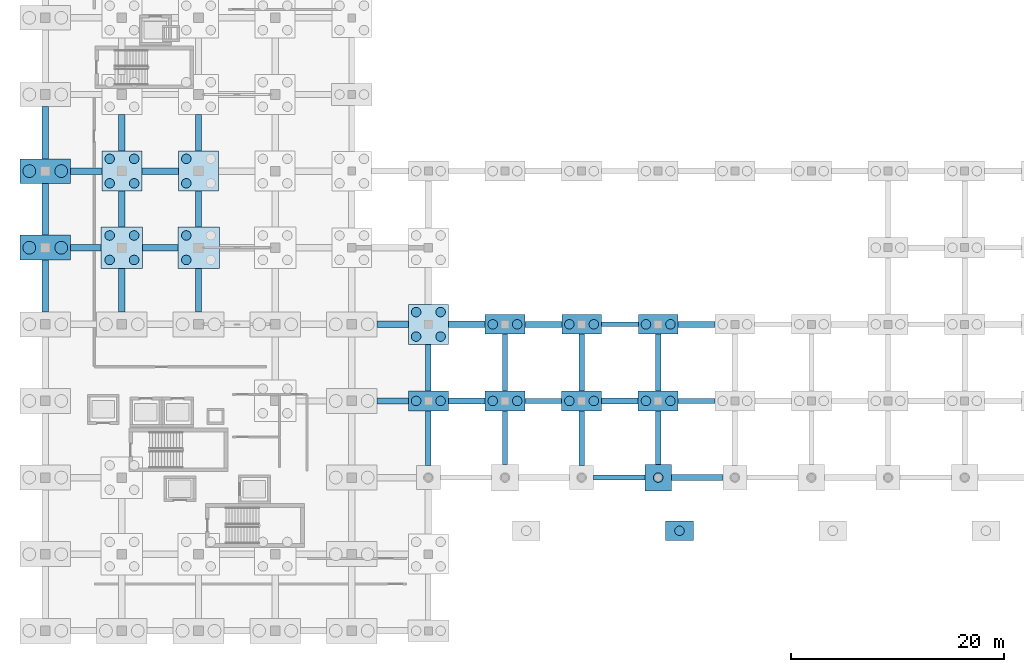
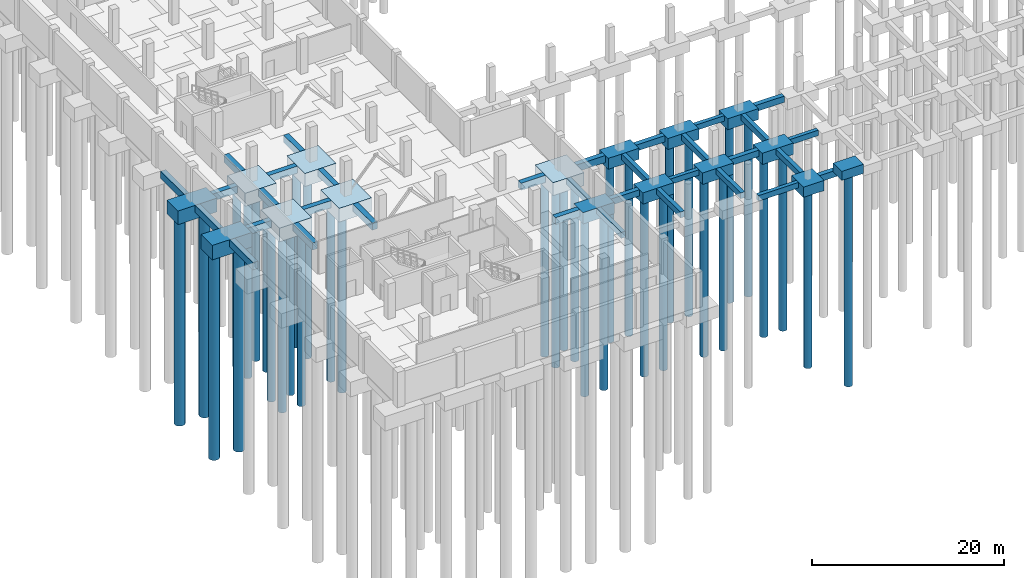
# One storey, part 2 of 36: 49 footings, 36 piles.
"""IFC4 building model written with IfcOpenShell, lengths in metres."""

from ifc_helpers import new_model, si_unit, direction, frame, origin, origin_2d, place, context, subcontext, project, spatial, rectangle, circle, extrude, material, material_profile, profile_set, type_object, element, save


model = new_model("IFC4")

# Units and contexts
model_context = context("Model", 3, precision=1e-05, world=origin(), true_north=direction((0.0, 1.0)))
body_context = subcontext(model_context, "Body", "Model", "MODEL_VIEW")
ifc_project = project(units=[si_unit("LENGTHUNIT", "METRE"), si_unit("AREAUNIT", "SQUARE_METRE"), si_unit("VOLUMEUNIT", "CUBIC_METRE"), si_unit("PLANEANGLEUNIT", "RADIAN"), si_unit("MASSUNIT", "GRAM", prefix="KILO")], contexts=[model_context])

# Site, building, storey
site_placement = place(None, origin())
site = spatial("IfcSite", under=ifc_project, at=site_placement, CompositionType="ELEMENT")
building_placement = place(site_placement, origin())
building = spatial("IfcBuilding", under=site, at=building_placement, Name="Kalmorath City Hall", CompositionType="ELEMENT")
storey_placement = place(building_placement, frame((0.0, 0.0, -4.5)))
storey = spatial("IfcBuildingStorey", under=building, at=storey_placement, Name="B1", CompositionType="ELEMENT", Elevation=-4.5)

# Piles
ifc_material_1 = material(Name="Concrete C40/50", Category="concrete")
ifc_material_profile_1 = material_profile(ifc_material_1, circle(Radius=0.60009765625, at=origin_2d()), Name="PILE-D1200")
ifc_profile_set_1 = profile_set([ifc_material_profile_1], Name="Concrete C40/50")
pile_type_1 = type_object("IfcPileType", Name="Bored concrete pile D1200", PredefinedType="BORED", material=ifc_profile_set_1)
for number, where, z_axis, x_axis, name in (
    (1, (-1.5, 36.0, -1.75), (0.0, 0.0, -1.0), (1.0, 0.0, 0.0), "Bored pile PL-1200 1.6.1"),
    (2, (1.5, 36.0, -1.75), (0.0, 0.0, -1.0), (1.0, 0.0, 0.0), "Bored pile PL-1200 1.6.2"),
):
    element("IfcPile", number, at=place(storey_placement, frame(where, z_axis=z_axis, x_axis=x_axis)), inside=storey, type_object=pile_type_1, Name=name, PredefinedType="BORED", context=body_context, shape_type="SweptSolid", body=[
        extrude(circle(Radius=0.60009765625, at=origin_2d()), origin(), (0.0, 0.0, 1.0), 26.25),
    ])
for number, where, z_axis, x_axis, name in (
    (3, (-1.5, 43.199951171875, -1.64990234375), (0.0, 0.0, -1.0), (1.0, 0.0, 0.0), "Bored pile PL-1200 1.7.1"),
    (4, (1.5, 43.199951171875, -1.64990234375), (0.0, 0.0, -1.0), (1.0, 0.0, 0.0), "Bored pile PL-1200 1.7.2"),
):
    element("IfcPile", number, at=place(storey_placement, frame(where, z_axis=z_axis, x_axis=x_axis)), inside=storey, type_object=pile_type_1, Name=name, PredefinedType="BORED", context=body_context, shape_type="SweptSolid", body=[
        extrude(circle(Radius=0.60009765625, at=origin_2d()), origin(), (0.0, 0.0, 1.0), 26.35009765625),
    ])
ifc_material_2 = material(Name="Concrete C40/50", Category="concrete")
ifc_material_profile_2 = material_profile(ifc_material_2, circle(Radius=0.449951171875, at=origin_2d()), Name="PILE-D900")
ifc_profile_set_2 = profile_set([ifc_material_profile_2], Name="Concrete C40/50")
pile_type_2 = type_object("IfcPileType", Name="Bored concrete pile D900", PredefinedType="BORED", material=ifc_profile_set_2)
for number, where, z_axis, x_axis, name in (
    (5, (6.050048828125, 34.85009765625, -1.64990234375), (0.0, 0.0, -1.0), (1.0, 0.0, 0.0), "Bored pile PL-900 2.6.1"),
    (6, (8.35009765625, 34.85009765625, -1.64990234375), (0.0, 0.0, -1.0), (1.0, 0.0, 0.0), "Bored pile PL-900 2.6.2"),
    (7, (6.050048828125, 37.14990234375, -1.64990234375), (0.0, 0.0, -1.0), (1.0, 0.0, 0.0), "Bored pile PL-900 2.6.3"),
    (8, (8.35009765625, 37.14990234375, -1.64990234375), (0.0, 0.0, -1.0), (1.0, 0.0, 0.0), "Bored pile PL-900 2.6.4"),
):
    element("IfcPile", number, at=place(storey_placement, frame(where, z_axis=z_axis, x_axis=x_axis)), inside=storey, type_object=pile_type_2, Name=name, PredefinedType="BORED", context=body_context, shape_type="SweptSolid", body=[
        extrude(circle(Radius=0.449951171875, at=origin_2d()), origin(), (0.0, 0.0, 1.0), 22.35009765625),
    ])
for number, where, z_axis, x_axis, name in (
    (9, (6.050048828125, 42.050048828125, -1.550048828125), (0.0, 0.0, -1.0), (1.0, 0.0, 0.0), "Bored pile PL-900 2.7.1"),
    (10, (8.35009765625, 42.050048828125, -1.550048828125), (0.0, 0.0, -1.0), (1.0, 0.0, 0.0), "Bored pile PL-900 2.7.2"),
    (11, (6.050048828125, 44.35009765625, -1.550048828125), (0.0, 0.0, -1.0), (1.0, 0.0, 0.0), "Bored pile PL-900 2.7.3"),
    (12, (8.35009765625, 44.35009765625, -1.550048828125), (0.0, 0.0, -1.0), (1.0, 0.0, 0.0), "Bored pile PL-900 2.7.4"),
):
    element("IfcPile", number, at=place(storey_placement, frame(where, z_axis=z_axis, x_axis=x_axis)), inside=storey, type_object=pile_type_2, Name=name, PredefinedType="BORED", context=body_context, shape_type="SweptSolid", body=[
        extrude(circle(Radius=0.449951171875, at=origin_2d()), origin(), (0.0, 0.0, 1.0), 22.449951171875),
    ])
for number, where, z_axis, x_axis, name in (
    (13, (13.25, 34.85009765625, -1.64990234375), (0.0, 0.0, -1.0), (1.0, 0.0, 0.0), "Bored pile PL-900 3.6.1"),
    (14, (13.25, 37.14990234375, -1.64990234375), (0.0, 0.0, -1.0), (1.0, 0.0, 0.0), "Bored pile PL-900 3.6.3"),
):
    element("IfcPile", number, at=place(storey_placement, frame(where, z_axis=z_axis, x_axis=x_axis)), inside=storey, type_object=pile_type_2, Name=name, PredefinedType="BORED", context=body_context, shape_type="SweptSolid", body=[
        extrude(circle(Radius=0.449951171875, at=origin_2d()), origin(), (0.0, 0.0, 1.0), 22.35009765625),
    ])
for number, where, z_axis, x_axis, name in (
    (15, (13.25, 42.050048828125, -1.550048828125), (0.0, 0.0, -1.0), (1.0, 0.0, 0.0), "Bored pile PL-900 3.7.1"),
    (16, (13.25, 44.35009765625, -1.550048828125), (0.0, 0.0, -1.0), (1.0, 0.0, 0.0), "Bored pile PL-900 3.7.3"),
):
    element("IfcPile", number, at=place(storey_placement, frame(where, z_axis=z_axis, x_axis=x_axis)), inside=storey, type_object=pile_type_2, Name=name, PredefinedType="BORED", context=body_context, shape_type="SweptSolid", body=[
        extrude(circle(Radius=0.449951171875, at=origin_2d()), origin(), (0.0, 0.0, 1.0), 22.449951171875),
    ])
for number, where, z_axis, x_axis, name in (
    (17, (34.85009765625, 21.60009765625, -1.35009765625), (0.0, 0.0, -1.0), (1.0, 0.0, 0.0), "Bored pile PL-900 6.4.1"),
    (18, (37.14990234375, 21.60009765625, -1.35009765625), (0.0, 0.0, -1.0), (1.0, 0.0, 0.0), "Bored pile PL-900 6.4.2"),
):
    element("IfcPile", number, at=place(storey_placement, frame(where, z_axis=z_axis, x_axis=x_axis)), inside=storey, type_object=pile_type_2, Name=name, PredefinedType="BORED", context=body_context, shape_type="SweptSolid", body=[
        extrude(circle(Radius=0.449951171875, at=origin_2d()), origin(), (0.0, 0.0, 1.0), 22.64990234375),
    ])
for number, where, z_axis, x_axis, name in (
    (19, (34.85009765625, 27.64990234375, -1.550048828125), (0.0, 0.0, -1.0), (1.0, 0.0, 0.0), "Bored pile PL-900 6.5.1"),
    (20, (37.14990234375, 27.64990234375, -1.550048828125), (0.0, 0.0, -1.0), (1.0, 0.0, 0.0), "Bored pile PL-900 6.5.2"),
    (21, (34.85009765625, 29.949951171875, -1.550048828125), (0.0, 0.0, -1.0), (1.0, 0.0, 0.0), "Bored pile PL-900 6.5.3"),
    (22, (37.14990234375, 29.949951171875, -1.550048828125), (0.0, 0.0, -1.0), (1.0, 0.0, 0.0), "Bored pile PL-900 6.5.4"),
):
    element("IfcPile", number, at=place(storey_placement, frame(where, z_axis=z_axis, x_axis=x_axis)), inside=storey, type_object=pile_type_2, Name=name, PredefinedType="BORED", context=body_context, shape_type="SweptSolid", body=[
        extrude(circle(Radius=0.449951171875, at=origin_2d()), origin(), (0.0, 0.0, 1.0), 22.449951171875),
    ])
for number, where, z_axis, x_axis, name in (
    (23, (42.050048828125, 21.60009765625, -1.35009765625), (0.0, 0.0, -1.0), (1.0, 0.0, 0.0), "Bored pile PL-900 7.4.1"),
    (24, (44.35009765625, 21.60009765625, -1.35009765625), (0.0, 0.0, -1.0), (1.0, 0.0, 0.0), "Bored pile PL-900 7.4.2"),
):
    element("IfcPile", number, at=place(storey_placement, frame(where, z_axis=z_axis, x_axis=x_axis)), inside=storey, type_object=pile_type_2, Name=name, PredefinedType="BORED", context=body_context, shape_type="SweptSolid", body=[
        extrude(circle(Radius=0.449951171875, at=origin_2d()), origin(), (0.0, 0.0, 1.0), 22.64990234375),
    ])
for number, where, z_axis, x_axis, name in (
    (25, (42.050048828125, 28.800048828125, -1.300048828125), (0.0, 0.0, -1.0), (1.0, 0.0, 0.0), "Bored pile PL-900 7.5.1"),
    (26, (44.35009765625, 28.800048828125, -1.300048828125), (0.0, 0.0, -1.0), (1.0, 0.0, 0.0), "Bored pile PL-900 7.5.2"),
):
    element("IfcPile", number, at=place(storey_placement, frame(where, z_axis=z_axis, x_axis=x_axis)), inside=storey, type_object=pile_type_2, Name=name, PredefinedType="BORED", context=body_context, shape_type="SweptSolid", body=[
        extrude(circle(Radius=0.449951171875, at=origin_2d()), origin(), (0.0, 0.0, 1.0), 22.699951171875),
    ])
for number, where, z_axis, x_axis, name in (
    (27, (49.25, 21.60009765625, -1.35009765625), (0.0, 0.0, -1.0), (1.0, 0.0, 0.0), "Bored pile PL-900 8.4.1"),
    (28, (51.550048828125, 21.60009765625, -1.35009765625), (0.0, 0.0, -1.0), (1.0, 0.0, 0.0), "Bored pile PL-900 8.4.2"),
):
    element("IfcPile", number, at=place(storey_placement, frame(where, z_axis=z_axis, x_axis=x_axis)), inside=storey, type_object=pile_type_2, Name=name, PredefinedType="BORED", context=body_context, shape_type="SweptSolid", body=[
        extrude(circle(Radius=0.449951171875, at=origin_2d()), origin(), (0.0, 0.0, 1.0), 22.64990234375),
    ])
for number, where, z_axis, x_axis, name in (
    (29, (49.25, 28.800048828125, -1.300048828125), (0.0, 0.0, -1.0), (1.0, 0.0, 0.0), "Bored pile PL-900 8.5.1"),
    (30, (51.550048828125, 28.800048828125, -1.300048828125), (0.0, 0.0, -1.0), (1.0, 0.0, 0.0), "Bored pile PL-900 8.5.2"),
):
    element("IfcPile", number, at=place(storey_placement, frame(where, z_axis=z_axis, x_axis=x_axis)), inside=storey, type_object=pile_type_2, Name=name, PredefinedType="BORED", context=body_context, shape_type="SweptSolid", body=[
        extrude(circle(Radius=0.449951171875, at=origin_2d()), origin(), (0.0, 0.0, 1.0), 22.699951171875),
    ])
pile_1_placement = place(storey_placement, frame((57.60009765625, 14.39990234375, -1.199951171875), z_axis=(0.0, 0.0, -1.0), x_axis=(1.0, 0.0, 0.0)))
element("IfcPile", 31, at=pile_1_placement, inside=storey, type_object=pile_type_2, Name="Bored pile PL-900 9.3.1", PredefinedType="BORED", context=body_context, shape_type="SweptSolid", body=[
    extrude(circle(Radius=0.449951171875, at=origin_2d()), origin(), (0.0, 0.0, 1.0), 22.800048828125),
])
for number, where, z_axis, x_axis, name in (
    (32, (56.449951171875, 21.60009765625, -1.35009765625), (0.0, 0.0, -1.0), (1.0, 0.0, 0.0), "Bored pile PL-900 9.4.1"),
    (33, (58.75, 21.60009765625, -1.35009765625), (0.0, 0.0, -1.0), (1.0, 0.0, 0.0), "Bored pile PL-900 9.4.2"),
):
    element("IfcPile", number, at=place(storey_placement, frame(where, z_axis=z_axis, x_axis=x_axis)), inside=storey, type_object=pile_type_2, Name=name, PredefinedType="BORED", context=body_context, shape_type="SweptSolid", body=[
        extrude(circle(Radius=0.449951171875, at=origin_2d()), origin(), (0.0, 0.0, 1.0), 22.64990234375),
    ])
for number, where, z_axis, x_axis, name in (
    (34, (56.449951171875, 28.800048828125, -1.300048828125), (0.0, 0.0, -1.0), (1.0, 0.0, 0.0), "Bored pile PL-900 9.5.1"),
    (35, (58.75, 28.800048828125, -1.300048828125), (0.0, 0.0, -1.0), (1.0, 0.0, 0.0), "Bored pile PL-900 9.5.2"),
):
    element("IfcPile", number, at=place(storey_placement, frame(where, z_axis=z_axis, x_axis=x_axis)), inside=storey, type_object=pile_type_2, Name=name, PredefinedType="BORED", context=body_context, shape_type="SweptSolid", body=[
        extrude(circle(Radius=0.449951171875, at=origin_2d()), origin(), (0.0, 0.0, 1.0), 22.699951171875),
    ])
pile_2_placement = place(storey_placement, frame((59.60009765625, 9.39990234375, 3.10009765625), z_axis=(0.0, 0.0, -1.0), x_axis=(1.0, 0.0, 0.0)))
element("IfcPile", 36, at=pile_2_placement, inside=storey, type_object=pile_type_2, Name="Entrance ramp bored pile PL-900-2", PredefinedType="BORED", context=body_context, shape_type="SweptSolid", body=[
    extrude(circle(Radius=0.449951171875, at=origin_2d()), origin(), (0.0, 0.0, 1.0), 27.10009765625),
])

# Footings
ifc_material_3 = material(Name="Concrete C40/50", Category="concrete")
ifc_material_profile_3 = material_profile(ifc_material_3, rectangle(XDim=0.449951171875, YDim=0.699951171875, at=origin_2d()), Name="RC-BM-450X700")
ifc_profile_set_3 = profile_set([ifc_material_profile_3], Name="Concrete C40/50")
footing_type_1 = type_object("IfcFootingType", Name="Concrete ground tie beam 450x700", PredefinedType="FOOTING_BEAM", material=ifc_profile_set_3)
footing_1_placement = place(storey_placement, frame((45.080078125, 21.60009765625, -0.35009765625), z_axis=(1.0, 0.0, 0.0), x_axis=(0.0, 1.0, 0.0)))
element("IfcFooting", 37, at=footing_1_placement, inside=storey, type_object=footing_type_1, Name="Ground tie beam GB4 X7-4", PredefinedType="FOOTING_BEAM", context=body_context, shape_type="SweptSolid", body=[
    extrude(rectangle(XDim=0.449951171875, YDim=0.699951171875, at=origin_2d()), origin(), (0.0, 0.0, 1.0), 3.43994140625),
])
footing_2_placement = place(storey_placement, frame((51.52490234375, 14.39990234375, -0.35009765625), z_axis=(1.0, 0.0, 0.0), x_axis=(0.0, 1.0, 0.0)))
element("IfcFooting", 38, at=footing_2_placement, inside=storey, type_object=footing_type_1, Name="Ground tie beam GB4 X8-3", PredefinedType="FOOTING_BEAM", context=body_context, shape_type="SweptSolid", body=[
    extrude(rectangle(XDim=0.449951171875, YDim=0.699951171875, at=origin_2d()), origin(), (0.0, 0.0, 1.0), 4.8251953125),
])
footing_3_placement = place(storey_placement, frame((52.260009765625, 28.800048828125, -0.35009765625), z_axis=(1.0, 0.0, 0.0), x_axis=(0.0, 1.0, 0.0)))
element("IfcFooting", 39, at=footing_3_placement, inside=storey, type_object=footing_type_1, Name="Ground tie beam GB4 X8-5", PredefinedType="FOOTING_BEAM", context=body_context, shape_type="SweptSolid", body=[
    extrude(rectangle(XDim=0.449951171875, YDim=0.699951171875, at=origin_2d()), origin(), (0.0, 0.0, 1.0), 3.47998046875),
])
footing_4_placement = place(storey_placement, frame((59.47998046875, 21.60009765625, -0.35009765625), z_axis=(1.0, 0.0, 0.0), x_axis=(0.0, 1.0, 0.0)))
element("IfcFooting", 40, at=footing_4_placement, inside=storey, type_object=footing_type_1, Name="Ground tie beam GB4 X9-4", PredefinedType="FOOTING_BEAM", context=body_context, shape_type="SweptSolid", body=[
    extrude(rectangle(XDim=0.449951171875, YDim=0.699951171875, at=origin_2d()), origin(), (0.0, 0.0, 1.0), 3.43994140625),
])
ifc_material_4 = material(Name="Concrete C40/50", Category="concrete")
ifc_material_profile_4 = material_profile(ifc_material_4, rectangle(XDim=0.5, YDim=0.75, at=origin_2d()), Name="RC-BM-500X750")
ifc_profile_set_4 = profile_set([ifc_material_profile_4], Name="Concrete C40/50")
footing_type_2 = type_object("IfcFootingType", Name="Concrete ground tie beam 500x750", PredefinedType="FOOTING_BEAM", material=ifc_profile_set_4)
footing_5_placement = place(storey_placement, frame((36.0, 15.52490234375, -0.375), z_axis=(0.0, 1.0, 0.0), x_axis=(-1.0, 0.0, 0.0)))
element("IfcFooting", 41, at=footing_5_placement, inside=storey, type_object=footing_type_2, Name="Ground tie beam GB3 Y6-3", PredefinedType="FOOTING_BEAM", context=body_context, shape_type="SweptSolid", body=[
    extrude(rectangle(XDim=0.5, YDim=0.75, at=origin_2d()), origin(), (0.0, 0.0, 1.0), 5.125),
])
footing_6_placement = place(storey_placement, frame((36.0, 22.550048828125, -0.375), z_axis=(0.0, 1.0, 0.0), x_axis=(-1.0, 0.0, 0.0)))
element("IfcFooting", 42, at=footing_6_placement, inside=storey, type_object=footing_type_2, Name="Ground tie beam GB3 Y6-4", PredefinedType="FOOTING_BEAM", context=body_context, shape_type="SweptSolid", body=[
    extrude(rectangle(XDim=0.5, YDim=0.75, at=origin_2d()), origin(), (0.0, 0.0, 1.0), 4.375),
])
footing_7_placement = place(storey_placement, frame((43.199951171875, 15.64990234375, -0.375), z_axis=(0.0, 1.0, 0.0), x_axis=(-1.0, 0.0, 0.0)))
element("IfcFooting", 43, at=footing_7_placement, inside=storey, type_object=footing_type_2, Name="Ground tie beam GB3 Y7-3", PredefinedType="FOOTING_BEAM", context=body_context, shape_type="SweptSolid", body=[
    extrude(rectangle(XDim=0.5, YDim=0.75, at=origin_2d()), origin(), (0.0, 0.0, 1.0), 5.0),
])
footing_8_placement = place(storey_placement, frame((43.199951171875, 22.550048828125, -0.375), z_axis=(0.0, 1.0, 0.0), x_axis=(-1.0, 0.0, 0.0)))
element("IfcFooting", 44, at=footing_8_placement, inside=storey, type_object=footing_type_2, Name="Ground tie beam GB3 Y7-4", PredefinedType="FOOTING_BEAM", context=body_context, shape_type="SweptSolid", body=[
    extrude(rectangle(XDim=0.5, YDim=0.75, at=origin_2d()), origin(), (0.0, 0.0, 1.0), 5.33984375),
])
footing_9_placement = place(storey_placement, frame((50.39990234375, 15.52490234375, -0.375), z_axis=(0.0, 1.0, 0.0), x_axis=(-1.0, 0.0, 0.0)))
element("IfcFooting", 45, at=footing_9_placement, inside=storey, type_object=footing_type_2, Name="Ground tie beam GB3 Y8-3", PredefinedType="FOOTING_BEAM", context=body_context, shape_type="SweptSolid", body=[
    extrude(rectangle(XDim=0.5, YDim=0.75, at=origin_2d()), origin(), (0.0, 0.0, 1.0), 5.125),
])
footing_10_placement = place(storey_placement, frame((50.39990234375, 22.550048828125, -0.375), z_axis=(0.0, 1.0, 0.0), x_axis=(-1.0, 0.0, 0.0)))
element("IfcFooting", 46, at=footing_10_placement, inside=storey, type_object=footing_type_2, Name="Ground tie beam GB3 Y8-4", PredefinedType="FOOTING_BEAM", context=body_context, shape_type="SweptSolid", body=[
    extrude(rectangle(XDim=0.5, YDim=0.75, at=origin_2d()), origin(), (0.0, 0.0, 1.0), 5.33984375),
])
footing_11_placement = place(storey_placement, frame((57.60009765625, 15.64990234375, -0.375), z_axis=(0.0, 1.0, 0.0), x_axis=(-1.0, 0.0, 0.0)))
element("IfcFooting", 47, at=footing_11_placement, inside=storey, type_object=footing_type_2, Name="Ground tie beam GB3 Y9-3", PredefinedType="FOOTING_BEAM", context=body_context, shape_type="SweptSolid", body=[
    extrude(rectangle(XDim=0.5, YDim=0.75, at=origin_2d()), origin(), (0.0, 0.0, 1.0), 5.0),
])
footing_12_placement = place(storey_placement, frame((57.60009765625, 22.550048828125, -0.375), z_axis=(0.0, 1.0, 0.0), x_axis=(-1.0, 0.0, 0.0)))
element("IfcFooting", 48, at=footing_12_placement, inside=storey, type_object=footing_type_2, Name="Ground tie beam GB3 Y9-4", PredefinedType="FOOTING_BEAM", context=body_context, shape_type="SweptSolid", body=[
    extrude(rectangle(XDim=0.5, YDim=0.75, at=origin_2d()), origin(), (0.0, 0.0, 1.0), 5.33984375),
])
ifc_material_5 = material(Name="Concrete C40/50", Category="concrete")
ifc_material_profile_5 = material_profile(ifc_material_5, rectangle(XDim=0.550048828125, YDim=0.800048828125, at=origin_2d()), Name="RC-BM-550X800")
ifc_profile_set_5 = profile_set([ifc_material_profile_5], Name="Concrete C40/50")
footing_type_3 = type_object("IfcFootingType", Name="Concrete ground tie beam 550x800", PredefinedType="FOOTING_BEAM", material=ifc_profile_set_5)
footing_13_placement = place(storey_placement, frame((37.8798828125, 21.60009765625, -0.39990234375), z_axis=(1.0, 0.0, 0.0), x_axis=(0.0, 1.0, 0.0)))
element("IfcFooting", 49, at=footing_13_placement, inside=storey, type_object=footing_type_3, Name="Ground tie beam GB2 X6-4", PredefinedType="FOOTING_BEAM", context=body_context, shape_type="SweptSolid", body=[
    extrude(rectangle(XDim=0.550048828125, YDim=0.800048828125, at=origin_2d()), origin(), (0.0, 0.0, 1.0), 3.440185546875),
])
footing_14_placement = place(storey_placement, frame((45.06005859375, 28.800048828125, -0.39990234375), z_axis=(1.0, 0.0, 0.0), x_axis=(0.0, 1.0, 0.0)))
element("IfcFooting", 50, at=footing_14_placement, inside=storey, type_object=footing_type_3, Name="Ground tie beam GB2 X7-5", PredefinedType="FOOTING_BEAM", context=body_context, shape_type="SweptSolid", body=[
    extrude(rectangle(XDim=0.550048828125, YDim=0.800048828125, at=origin_2d()), origin(), (0.0, 0.0, 1.0), 3.47998046875),
])
footing_15_placement = place(storey_placement, frame((52.280029296875, 21.60009765625, -0.39990234375), z_axis=(1.0, 0.0, 0.0), x_axis=(0.0, 1.0, 0.0)))
element("IfcFooting", 51, at=footing_15_placement, inside=storey, type_object=footing_type_3, Name="Ground tie beam GB2 X8-4", PredefinedType="FOOTING_BEAM", context=body_context, shape_type="SweptSolid", body=[
    extrude(rectangle(XDim=0.550048828125, YDim=0.800048828125, at=origin_2d()), origin(), (0.0, 0.0, 1.0), 3.43994140625),
])
footing_16_placement = place(storey_placement, frame((58.85009765625, 14.39990234375, -0.39990234375), z_axis=(1.0, 0.0, 0.0), x_axis=(0.0, 1.0, 0.0)))
element("IfcFooting", 52, at=footing_16_placement, inside=storey, type_object=footing_type_3, Name="Ground tie beam GB2 X9-3", PredefinedType="FOOTING_BEAM", context=body_context, shape_type="SweptSolid", body=[
    extrude(rectangle(XDim=0.550048828125, YDim=0.800048828125, at=origin_2d()), origin(), (0.0, 0.0, 1.0), 4.824951171875),
])
footing_17_placement = place(storey_placement, frame((59.4599609375, 28.800048828125, -0.39990234375), z_axis=(1.0, 0.0, 0.0), x_axis=(0.0, 1.0, 0.0)))
element("IfcFooting", 53, at=footing_17_placement, inside=storey, type_object=footing_type_3, Name="Ground tie beam GB2 X9-5", PredefinedType="FOOTING_BEAM", context=body_context, shape_type="SweptSolid", body=[
    extrude(rectangle(XDim=0.550048828125, YDim=0.800048828125, at=origin_2d()), origin(), (0.0, 0.0, 1.0), 3.47998046875),
])
ifc_material_6 = material(Name="Concrete C40/50", Category="concrete")
ifc_material_profile_6 = material_profile(ifc_material_6, rectangle(XDim=0.60009765625, YDim=0.89990234375, at=origin_2d()), Name="RC-BM-600X900")
ifc_profile_set_6 = profile_set([ifc_material_profile_6], Name="Concrete C40/50")
footing_type_4 = type_object("IfcFootingType", Name="Concrete ground tie beam 600x900", PredefinedType="FOOTING_BEAM", material=ifc_profile_set_6)
footing_18_placement = place(storey_placement, frame((0.0, 29.97509765625, -0.449951171875), z_axis=(0.0, 1.0, 0.0), x_axis=(-1.0, 0.0, 0.0)))
element("IfcFooting", 54, at=footing_18_placement, inside=storey, type_object=footing_type_4, Name="Ground tie beam GB1 Y1-5", PredefinedType="FOOTING_BEAM", context=body_context, shape_type="SweptSolid", body=[
    extrude(rectangle(XDim=0.60009765625, YDim=0.89990234375, at=origin_2d()), origin(), (0.0, 0.0, 1.0), 4.849853515625),
])
footing_19_placement = place(storey_placement, frame((2.375, 36.0, -0.449951171875), z_axis=(1.0, 0.0, 0.0), x_axis=(0.0, 1.0, 0.0)))
element("IfcFooting", 55, at=footing_19_placement, inside=storey, type_object=footing_type_4, Name="Ground tie beam GB1 X1-6", PredefinedType="FOOTING_BEAM", context=body_context, shape_type="SweptSolid", body=[
    extrude(rectangle(XDim=0.60009765625, YDim=0.89990234375, at=origin_2d()), origin(), (0.0, 0.0, 1.0), 2.875),
])
footing_20_placement = place(storey_placement, frame((0.0, 37.175048828125, -0.449951171875), z_axis=(0.0, 1.0, 0.0), x_axis=(-1.0, 0.0, 0.0)))
element("IfcFooting", 56, at=footing_20_placement, inside=storey, type_object=footing_type_4, Name="Ground tie beam GB1 Y1-6", PredefinedType="FOOTING_BEAM", context=body_context, shape_type="SweptSolid", body=[
    extrude(rectangle(XDim=0.60009765625, YDim=0.89990234375, at=origin_2d()), origin(), (0.0, 0.0, 1.0), 4.875),
])
footing_21_placement = place(storey_placement, frame((2.360107421875, 43.199951171875, -0.449951171875), z_axis=(1.0, 0.0, 0.0), x_axis=(0.0, 1.0, 0.0)))
element("IfcFooting", 57, at=footing_21_placement, inside=storey, type_object=footing_type_4, Name="Ground tie beam GB1 X1-7", PredefinedType="FOOTING_BEAM", context=body_context, shape_type="SweptSolid", body=[
    extrude(rectangle(XDim=0.60009765625, YDim=0.89990234375, at=origin_2d()), origin(), (0.0, 0.0, 1.0), 2.96484375),
])
footing_22_placement = place(storey_placement, frame((0.0, 44.35009765625, -0.449951171875), z_axis=(0.0, 1.0, 0.0), x_axis=(-1.0, 0.0, 0.0)))
element("IfcFooting", 58, at=footing_22_placement, inside=storey, type_object=footing_type_4, Name="Ground tie beam GB1 Y1-7", PredefinedType="FOOTING_BEAM", context=body_context, shape_type="SweptSolid", body=[
    extrude(rectangle(XDim=0.60009765625, YDim=0.89990234375, at=origin_2d()), origin(), (0.0, 0.0, 1.0), 4.89990234375),
])
footing_23_placement = place(storey_placement, frame((7.199951171875, 29.97509765625, -0.449951171875), z_axis=(0.0, 1.0, 0.0), x_axis=(-1.0, 0.0, 0.0)))
element("IfcFooting", 59, at=footing_23_placement, inside=storey, type_object=footing_type_4, Name="Ground tie beam GB1 Y2-5", PredefinedType="FOOTING_BEAM", context=body_context, shape_type="SweptSolid", body=[
    extrude(rectangle(XDim=0.60009765625, YDim=0.89990234375, at=origin_2d()), origin(), (0.0, 0.0, 1.0), 4.074951171875),
])
footing_24_placement = place(storey_placement, frame((9.14990234375, 36.0, -0.449951171875), z_axis=(1.0, 0.0, 0.0), x_axis=(0.0, 1.0, 0.0)))
element("IfcFooting", 60, at=footing_24_placement, inside=storey, type_object=footing_type_4, Name="Ground tie beam GB1 X2-6", PredefinedType="FOOTING_BEAM", context=body_context, shape_type="SweptSolid", body=[
    extrude(rectangle(XDim=0.60009765625, YDim=0.89990234375, at=origin_2d()), origin(), (0.0, 0.0, 1.0), 3.300048828125),
])
footing_25_placement = place(storey_placement, frame((7.199951171875, 37.949951171875, -0.449951171875), z_axis=(0.0, 1.0, 0.0), x_axis=(-1.0, 0.0, 0.0)))
element("IfcFooting", 61, at=footing_25_placement, inside=storey, type_object=footing_type_4, Name="Ground tie beam GB1 Y2-6", PredefinedType="FOOTING_BEAM", context=body_context, shape_type="SweptSolid", body=[
    extrude(rectangle(XDim=0.60009765625, YDim=0.89990234375, at=origin_2d()), origin(), (0.0, 0.0, 1.0), 3.375),
])
for number, where, z_axis, x_axis, name in (
    (62, (9.074951171875, 43.199951171875, -0.449951171875), (1.0, 0.0, 0.0), (0.0, 1.0, 0.0), "Ground tie beam GB1 X2-7"),
    (63, (7.199951171875, 45.074951171875, -0.449951171875), (0.0, 1.0, 0.0), (-1.0, 0.0, 0.0), "Ground tie beam GB1 Y2-7"),
):
    element("IfcFooting", number, at=place(storey_placement, frame(where, z_axis=z_axis, x_axis=x_axis)), inside=storey, type_object=footing_type_4, Name=name, PredefinedType="FOOTING_BEAM", context=body_context, shape_type="SweptSolid", body=[
        extrude(rectangle(XDim=0.60009765625, YDim=0.89990234375, at=origin_2d()), origin(), (0.0, 0.0, 1.0), 3.449951171875),
    ])
footing_26_placement = place(storey_placement, frame((14.39990234375, 29.97509765625, -0.449951171875), z_axis=(0.0, 1.0, 0.0), x_axis=(-1.0, 0.0, 0.0)))
element("IfcFooting", 64, at=footing_26_placement, inside=storey, type_object=footing_type_4, Name="Ground tie beam GB1 Y3-5", PredefinedType="FOOTING_BEAM", context=body_context, shape_type="SweptSolid", body=[
    extrude(rectangle(XDim=0.60009765625, YDim=0.89990234375, at=origin_2d()), origin(), (0.0, 0.0, 1.0), 4.074951171875),
])
footing_27_placement = place(storey_placement, frame((14.39990234375, 37.949951171875, -0.449951171875), z_axis=(0.0, 1.0, 0.0), x_axis=(-1.0, 0.0, 0.0)))
element("IfcFooting", 65, at=footing_27_placement, inside=storey, type_object=footing_type_4, Name="Ground tie beam GB1 Y3-6", PredefinedType="FOOTING_BEAM", context=body_context, shape_type="SweptSolid", body=[
    extrude(rectangle(XDim=0.60009765625, YDim=0.89990234375, at=origin_2d()), origin(), (0.0, 0.0, 1.0), 3.375),
])
footing_28_placement = place(storey_placement, frame((14.39990234375, 45.074951171875, -0.449951171875), z_axis=(0.0, 1.0, 0.0), x_axis=(-1.0, 0.0, 0.0)))
element("IfcFooting", 66, at=footing_28_placement, inside=storey, type_object=footing_type_4, Name="Ground tie beam GB1 Y3-7", PredefinedType="FOOTING_BEAM", context=body_context, shape_type="SweptSolid", body=[
    extrude(rectangle(XDim=0.60009765625, YDim=0.89990234375, at=origin_2d()), origin(), (0.0, 0.0, 1.0), 3.449951171875),
])
footing_29_placement = place(storey_placement, frame((31.175048828125, 21.60009765625, -0.449951171875), z_axis=(1.0, 0.0, 0.0), x_axis=(0.0, 1.0, 0.0)))
element("IfcFooting", 67, at=footing_29_placement, inside=storey, type_object=footing_type_4, Name="Ground tie beam GB1 X5-4", PredefinedType="FOOTING_BEAM", context=body_context, shape_type="SweptSolid", body=[
    extrude(rectangle(XDim=0.60009765625, YDim=0.89990234375, at=origin_2d()), origin(), (0.0, 0.0, 1.0), 2.945068359375),
])
footing_30_placement = place(storey_placement, frame((31.175048828125, 28.800048828125, -0.449951171875), z_axis=(1.0, 0.0, 0.0), x_axis=(0.0, 1.0, 0.0)))
element("IfcFooting", 68, at=footing_30_placement, inside=storey, type_object=footing_type_4, Name="Ground tie beam GB1 X5-5", PredefinedType="FOOTING_BEAM", context=body_context, shape_type="SweptSolid", body=[
    extrude(rectangle(XDim=0.60009765625, YDim=0.89990234375, at=origin_2d()), origin(), (0.0, 0.0, 1.0), 2.949951171875),
])
footing_31_placement = place(storey_placement, frame((37.875, 28.800048828125, -0.449951171875), z_axis=(1.0, 0.0, 0.0), x_axis=(0.0, 1.0, 0.0)))
element("IfcFooting", 69, at=footing_31_placement, inside=storey, type_object=footing_type_4, Name="Ground tie beam GB1 X6-5", PredefinedType="FOOTING_BEAM", context=body_context, shape_type="SweptSolid", body=[
    extrude(rectangle(XDim=0.60009765625, YDim=0.89990234375, at=origin_2d()), origin(), (0.0, 0.0, 1.0), 3.465087890625),
])
ifc_material_7 = material(Name="Concrete C40/50", Category="concrete")
footing_type_5 = type_object("IfcFootingType", Name="Four-pile concrete cap 3750x3750x1650", PredefinedType="PILE_CAP", material=ifc_material_7)
for number, where, z_axis, x_axis, name in (
    (70, (7.199951171875, 43.199951171875, -1.64990234375), (0.0, 0.0, 1.0), (1.0, 0.0, 0.0), "Footing PC2 (2/7)"),
    (71, (14.39990234375, 43.199951171875, -1.64990234375), (0.0, 0.0, 1.0), (1.0, 0.0, 0.0), "Footing PC2 (3/7)"),
    (72, (36.0, 28.800048828125, -1.64990234375), (0.0, 0.0, 1.0), (1.0, 0.0, 0.0), "Footing PC2 (6/5)"),
):
    element("IfcFooting", number, at=place(storey_placement, frame(where, z_axis=z_axis, x_axis=x_axis)), inside=storey, type_object=footing_type_5, Name=name, PredefinedType="PILE_CAP", context=body_context, shape_type="SweptSolid", body=[
        extrude(rectangle(XDim=3.75, YDim=3.75, at=origin_2d()), origin(), (0.0, 0.0, 1.0), 1.64990234375),
    ])
ifc_material_8 = material(Name="Concrete C40/50", Category="concrete")
footing_type_6 = type_object("IfcFootingType", Name="Four-pile concrete cap 3900x3900x1750", PredefinedType="PILE_CAP", material=ifc_material_8)
for number, where, z_axis, x_axis, name in (
    (73, (7.199951171875, 36.0, -1.75), (0.0, 0.0, 1.0), (1.0, 0.0, 0.0), "Footing PC1 (2/6)"),
    (74, (14.39990234375, 36.0, -1.75), (0.0, 0.0, 1.0), (1.0, 0.0, 0.0), "Footing PC1 (3/6)"),
):
    element("IfcFooting", number, at=place(storey_placement, frame(where, z_axis=z_axis, x_axis=x_axis)), inside=storey, type_object=footing_type_6, Name=name, PredefinedType="PILE_CAP", context=body_context, shape_type="SweptSolid", body=[
        extrude(rectangle(XDim=3.89990234375, YDim=3.89990234375, at=origin_2d()), origin(), (0.0, 0.0, 1.0), 1.75),
    ])
ifc_material_9 = material(Name="Concrete C40/50", Category="concrete")
footing_type_7 = type_object("IfcFootingType", Name="Reinforced concrete pad footing 2500x2500x1300", PredefinedType="PAD_FOOTING", material=ifc_material_9)
footing_32_placement = place(storey_placement, frame((57.60009765625, 14.39990234375, -1.2998046875), z_axis=(0.0, 0.0, 1.0), x_axis=(1.0, 0.0, 0.0)))
element("IfcFooting", 75, at=footing_32_placement, inside=storey, type_object=footing_type_7, Name="Footing PF1 (9/3)", PredefinedType="PAD_FOOTING", context=body_context, shape_type="SweptSolid", body=[
    extrude(rectangle(XDim=2.5, YDim=2.5, at=origin_2d()), origin(), (0.0, 0.0, 1.0), 1.300048828125),
])
ifc_material_10 = material(Name="Concrete C40/50", Category="concrete")
footing_type_8 = type_object("IfcFootingType", Name="Reinforced concrete ramp pad footing 2600x1800x1150", PredefinedType="PAD_FOOTING", material=ifc_material_10)
footing_33_placement = place(storey_placement, frame((59.60009765625, 9.39990234375, 3.0), z_axis=(0.0, 0.0, 1.0), x_axis=(1.0, 0.0, 0.0)))
element("IfcFooting", 76, at=footing_33_placement, inside=storey, type_object=footing_type_8, Name="Entrance ramp bottom pad footing PF3-2", PredefinedType="PAD_FOOTING", context=body_context, shape_type="SweptSolid", body=[
    extrude(rectangle(XDim=2.60009765625, YDim=1.800048828125, at=origin_2d()), origin(), (0.0, 0.0, 1.0), 1.14990234375),
])
ifc_material_11 = material(Name="Concrete C40/50", Category="concrete")
footing_type_9 = type_object("IfcFootingType", Name="Two-pile concrete cap 3720x1820x1400", PredefinedType="PILE_CAP", material=ifc_material_11)
for number, where, z_axis, x_axis, name in (
    (77, (43.199951171875, 28.800048828125, -1.39990234375), (0.0, 0.0, 1.0), (1.0, 0.0, 0.0), "Footing PC9 (7/5)"),
    (78, (50.39990234375, 28.800048828125, -1.39990234375), (0.0, 0.0, 1.0), (1.0, 0.0, 0.0), "Footing PC9 (8/5)"),
    (79, (57.60009765625, 28.800048828125, -1.39990234375), (0.0, 0.0, 1.0), (1.0, 0.0, 0.0), "Footing PC9 (9/5)"),
):
    element("IfcFooting", number, at=place(storey_placement, frame(where, z_axis=z_axis, x_axis=x_axis)), inside=storey, type_object=footing_type_9, Name=name, PredefinedType="PILE_CAP", context=body_context, shape_type="SweptSolid", body=[
        extrude(rectangle(XDim=3.719970703125, YDim=1.820068359375, at=origin_2d()), origin(), (0.0, 0.0, 1.0), 1.39990234375),
    ])
ifc_material_12 = material(Name="Concrete C40/50", Category="concrete")
footing_type_10 = type_object("IfcFootingType", Name="Two-pile concrete cap 3760x1900x1450", PredefinedType="PILE_CAP", material=ifc_material_12)
for number, where, z_axis, x_axis, name in (
    (80, (36.0, 21.60009765625, -1.4501953125), (0.0, 0.0, 1.0), (1.0, 0.0, 0.0), "Footing PC8 (6/4)"),
    (81, (43.199951171875, 21.60009765625, -1.4501953125), (0.0, 0.0, 1.0), (1.0, 0.0, 0.0), "Footing PC8 (7/4)"),
    (82, (50.39990234375, 21.60009765625, -1.4501953125), (0.0, 0.0, 1.0), (1.0, 0.0, 0.0), "Footing PC8 (8/4)"),
    (83, (57.60009765625, 21.60009765625, -1.4501953125), (0.0, 0.0, 1.0), (1.0, 0.0, 0.0), "Footing PC8 (9/4)"),
):
    element("IfcFooting", number, at=place(storey_placement, frame(where, z_axis=z_axis, x_axis=x_axis)), inside=storey, type_object=footing_type_10, Name=name, PredefinedType="PILE_CAP", context=body_context, shape_type="SweptSolid", body=[
        extrude(rectangle(XDim=3.760009765625, YDim=1.89990234375, at=origin_2d()), origin(), (0.0, 0.0, 1.0), 1.449951171875),
    ])
ifc_material_13 = material(Name="Concrete C40/50", Category="concrete")
footing_type_11 = type_object("IfcFootingType", Name="Two-pile heavy concrete cap 4720x2300x1750", PredefinedType="PILE_CAP", material=ifc_material_13)
footing_34_placement = place(storey_placement, frame((0.0, 43.199951171875, -1.75), z_axis=(0.0, 0.0, 1.0), x_axis=(1.0, 0.0, 0.0)))
element("IfcFooting", 84, at=footing_34_placement, inside=storey, type_object=footing_type_11, Name="Footing PC5 (1/7)", PredefinedType="PILE_CAP", context=body_context, shape_type="SweptSolid", body=[
    extrude(rectangle(XDim=4.719970703125, YDim=2.300048828125, at=origin_2d()), origin(), (0.0, 0.0, 1.0), 1.75),
])
ifc_material_14 = material(Name="Concrete C40/50", Category="concrete")
footing_type_12 = type_object("IfcFootingType", Name="Two-pile heavy concrete cap 4750x2350x1850", PredefinedType="PILE_CAP", material=ifc_material_14)
footing_35_placement = place(storey_placement, frame((0.0, 36.0, -1.85009765625), z_axis=(0.0, 0.0, 1.0), x_axis=(1.0, 0.0, 0.0)))
element("IfcFooting", 85, at=footing_35_placement, inside=storey, type_object=footing_type_12, Name="Footing PC4 (1/6)", PredefinedType="PILE_CAP", context=body_context, shape_type="SweptSolid", body=[
    extrude(rectangle(XDim=4.75, YDim=2.35009765625, at=origin_2d()), origin(), (0.0, 0.0, 1.0), 1.85009765625),
])

save(model, "model.ifc")
